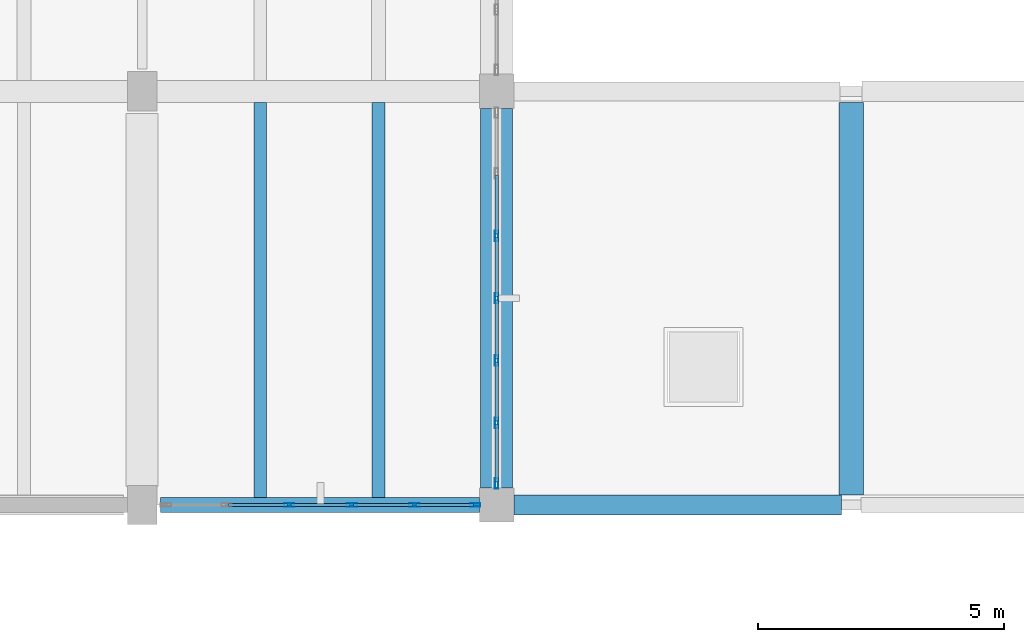
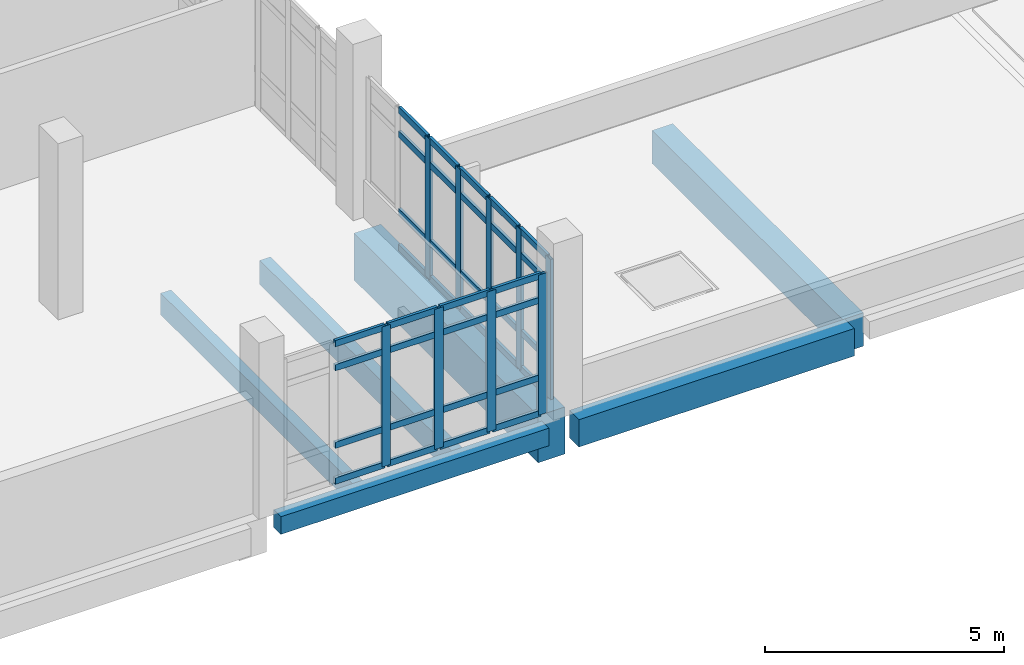
# One storey, part 72 of 124: 45 members, 6 beams, 2 elements without a shape of their own.
"""IFC4 building model written with IfcOpenShell, lengths in metres."""

from ifc_helpers import new_model, si_unit, direction, frame, origin, origin_2d, place, context, subcontext, project, spatial, rectangle, hollow_rectangle, extrude, material, material_profile, profile_set, type_object, element, aggregate, save


model = new_model("IFC4")

# Units and contexts
model_context = context("Model", 3, precision=1e-05, world=origin(), true_north=direction((0.0, 1.0)))
body_context = subcontext(model_context, "Body", "Model", "MODEL_VIEW")
ifc_project = project(units=[si_unit("LENGTHUNIT", "METRE"), si_unit("AREAUNIT", "SQUARE_METRE"), si_unit("VOLUMEUNIT", "CUBIC_METRE"), si_unit("PLANEANGLEUNIT", "RADIAN"), si_unit("MASSUNIT", "GRAM", prefix="KILO")], contexts=[model_context])

# Site, building, storey
site_placement = place(None, origin())
site = spatial("IfcSite", under=ifc_project, at=site_placement, CompositionType="ELEMENT")
building_placement = place(site_placement, origin())
building = spatial("IfcBuilding", under=site, at=building_placement, Name="Kalluvel Institute of Natural Sciences", CompositionType="ELEMENT")
storey_placement = place(building_placement, frame((0.0, 0.0, 9.89990234375)))
storey = spatial("IfcBuildingStorey", under=building, at=storey_placement, Name="L02", CompositionType="ELEMENT", Elevation=9.89990234375)

# Beams
ifc_material_1 = material(Name="Concrete M50", Category="concrete")
ifc_material_profile_1 = material_profile(ifc_material_1, rectangle(XDim=0.5, YDim=0.85009765625, at=origin_2d()), Name="RCB 500x850")
ifc_profile_set_1 = profile_set([ifc_material_profile_1], Name="Concrete M50")
beam_type_1 = type_object("IfcBeamType", Name="BM-RC500x850", PredefinedType="BEAM", material=ifc_profile_set_1)
beam_1_placement = place(storey_placement, frame((122.0, 103.0, -0.744873046875), z_axis=(0.0, 1.0, 0.0), x_axis=(-1.0, 0.0, 0.0)))
element("IfcBeam", 1, at=beam_1_placement, inside=storey, type_object=beam_type_1, Name="L02 girder GIR-L02-NS-X1220-Y1028", PredefinedType="BEAM", context=body_context, shape_type="SweptSolid", body=[
    extrude(rectangle(XDim=0.5, YDim=0.85009765625, at=origin_2d()), origin(), (0.0, 0.0, 1.0), 7.97509765625),
])
ifc_material_profile_2 = material_profile(ifc_material_1, rectangle(XDim=0.64990234375, YDim=1.199951171875, at=origin_2d()), Name="RCB 650x1200")
ifc_profile_set_2 = profile_set([ifc_material_profile_2], Name="Concrete M50")
beam_type_2 = type_object("IfcBeamType", Name="BM-RC650x1200", PredefinedType="BEAM", material=ifc_profile_set_2)
beam_2_placement = place(storey_placement, frame((114.800048828125, 103.14990234375, -0.919921875), z_axis=(0.0, 1.0, 0.0), x_axis=(-1.0, 0.0, 0.0)))
element("IfcBeam", 2, at=beam_2_placement, inside=storey, type_object=beam_type_2, Name="L02 girder GIR-L02-NS-X1148-Y1028", PredefinedType="BEAM", context=body_context, shape_type="SweptSolid", body=[
    extrude(rectangle(XDim=0.64990234375, YDim=1.199951171875, at=origin_2d()), origin(), (0.0, 0.0, 1.0), 7.7001953125),
])

# Curtain wall, members
ifc_material_2 = material(Name="Aluminium AW-6063 T6", Category="aluminium")
curtain_wall_type = type_object("IfcCurtainWallType", Name="CW-WET-45", PredefinedType="USERDEFINED", material=ifc_material_2)
curtain_wall_1_placement = place(storey_placement, origin())
curtain_wall_1 = element("IfcCurtainWall", 3, at=curtain_wall_1_placement, inside=storey, type_object=curtain_wall_type, Name="L02 Gothic lancet curtain wall CWA-L02-X1080-Y1028", ObjectType="UNITISED LANCET FACADE", PredefinedType="USERDEFINED")
ifc_material_profile_3 = material_profile(ifc_material_2, hollow_rectangle(XDim=0.070068359375, YDim=0.2099609375, WallThickness=0.0048828125, at=origin_2d()), Name="CWM 70x210")
ifc_profile_set_3 = profile_set([ifc_material_profile_3], Name="Aluminium AW-6063 T6")
member_type_1 = type_object("IfcMemberType", Name="CWM-70x210", PredefinedType="MULLION", material=ifc_profile_set_3)
member_1_placement = place(storey_placement, frame((110.590087890625, 102.800048828125, 0.0), z_axis=(0.0, 0.0, 1.0), x_axis=(0.0, 1.0, 0.0)))
member_1 = element("IfcMember", 4, at=member_1_placement, type_object=member_type_1, Name="CW-01 mullion 3", PredefinedType="MULLION", context=body_context, shape_type="SweptSolid", body=[
    extrude(hollow_rectangle(XDim=0.070068359375, YDim=0.2099609375, WallThickness=0.0048828125, at=origin_2d()), origin(), (0.0, 0.0, 1.0), 3.580078125),
])
member_2_placement = place(storey_placement, frame((111.860107421875, 102.800048828125, 0.0), z_axis=(0.0, 0.0, 1.0), x_axis=(0.0, 1.0, 0.0)))
member_2 = element("IfcMember", 5, at=member_2_placement, type_object=member_type_1, Name="CW-01 mullion 4", PredefinedType="MULLION", context=body_context, shape_type="SweptSolid", body=[
    extrude(hollow_rectangle(XDim=0.070068359375, YDim=0.2099609375, WallThickness=0.0048828125, at=origin_2d()), origin(), (0.0, 0.0, 1.0), 3.580078125),
])
member_3_placement = place(storey_placement, frame((113.1298828125, 102.800048828125, 0.0), z_axis=(0.0, 0.0, 1.0), x_axis=(0.0, 1.0, 0.0)))
member_3 = element("IfcMember", 6, at=member_3_placement, type_object=member_type_1, Name="CW-01 mullion 5", PredefinedType="MULLION", context=body_context, shape_type="SweptSolid", body=[
    extrude(hollow_rectangle(XDim=0.070068359375, YDim=0.2099609375, WallThickness=0.0048828125, at=origin_2d()), origin(), (0.0, 0.0, 1.0), 3.580078125),
])
member_4_placement = place(storey_placement, frame((114.364990234375, 102.800048828125, 0.0), z_axis=(0.0, 0.0, 1.0), x_axis=(0.0, 1.0, 0.0)))
member_4 = element("IfcMember", 7, at=member_4_placement, type_object=member_type_1, Name="CW-01 mullion 6", PredefinedType="MULLION", context=body_context, shape_type="SweptSolid", body=[
    extrude(hollow_rectangle(XDim=0.070068359375, YDim=0.2099609375, WallThickness=0.0048828125, at=origin_2d()), origin(), (0.0, 0.0, 1.0), 3.580078125),
])

curtain_wall_2_placement = place(storey_placement, origin())
curtain_wall_2 = element("IfcCurtainWall", 8, at=curtain_wall_2_placement, inside=storey, type_object=curtain_wall_type, Name="L02 Gothic lancet curtain wall CWA-L02-X1148-Y1032", ObjectType="UNITISED LANCET FACADE", PredefinedType="USERDEFINED")
member_5_placement = place(storey_placement, frame((114.800048828125, 103.235107421875, 0.0), z_axis=(0.0, 0.0, 1.0), x_axis=(-1.0, 0.0, 0.0)))
member_5 = element("IfcMember", 9, at=member_5_placement, type_object=member_type_1, Name="CW-01 mullion 1", PredefinedType="MULLION", context=body_context, shape_type="SweptSolid", body=[
    extrude(hollow_rectangle(XDim=0.070068359375, YDim=0.2099609375, WallThickness=0.0048828125, at=origin_2d()), origin(), (0.0, 0.0, 1.0), 3.580078125),
])
member_6_placement = place(storey_placement, frame((114.800048828125, 104.466552734375, 0.0), z_axis=(0.0, 0.0, 1.0), x_axis=(-1.0, 0.0, 0.0)))
member_6 = element("IfcMember", 10, at=member_6_placement, type_object=member_type_1, Name="CW-01 mullion 2", PredefinedType="MULLION", context=body_context, shape_type="SweptSolid", body=[
    extrude(hollow_rectangle(XDim=0.070068359375, YDim=0.2099609375, WallThickness=0.0048828125, at=origin_2d()), origin(), (0.0, 0.0, 1.0), 3.580078125),
])
member_7_placement = place(storey_placement, frame((114.800048828125, 105.7333984375, 0.0), z_axis=(0.0, 0.0, 1.0), x_axis=(-1.0, 0.0, 0.0)))
member_7 = element("IfcMember", 11, at=member_7_placement, type_object=member_type_1, Name="CW-01 mullion 3", PredefinedType="MULLION", context=body_context, shape_type="SweptSolid", body=[
    extrude(hollow_rectangle(XDim=0.070068359375, YDim=0.2099609375, WallThickness=0.0048828125, at=origin_2d()), origin(), (0.0, 0.0, 1.0), 3.580078125),
])
member_8_placement = place(storey_placement, frame((114.800048828125, 107.0, 0.0), z_axis=(0.0, 0.0, 1.0), x_axis=(-1.0, 0.0, 0.0)))
member_8 = element("IfcMember", 12, at=member_8_placement, type_object=member_type_1, Name="CW-01 mullion 4", PredefinedType="MULLION", context=body_context, shape_type="SweptSolid", body=[
    extrude(hollow_rectangle(XDim=0.070068359375, YDim=0.2099609375, WallThickness=0.0048828125, at=origin_2d()), origin(), (0.0, 0.0, 1.0), 3.580078125),
])
member_9_placement = place(storey_placement, frame((114.800048828125, 108.2666015625, 0.0), z_axis=(0.0, 0.0, 1.0), x_axis=(-1.0, 0.0, 0.0)))
member_9 = element("IfcMember", 13, at=member_9_placement, type_object=member_type_1, Name="CW-01 mullion 5", PredefinedType="MULLION", context=body_context, shape_type="SweptSolid", body=[
    extrude(hollow_rectangle(XDim=0.070068359375, YDim=0.2099609375, WallThickness=0.0048828125, at=origin_2d()), origin(), (0.0, 0.0, 1.0), 3.580078125),
])

# Member
ifc_material_profile_4 = material_profile(ifc_material_2, hollow_rectangle(XDim=0.070068359375, YDim=0.159912109375, WallThickness=0.0048828125, at=origin_2d()), Name="CWT 70x160")
ifc_profile_set_4 = profile_set([ifc_material_profile_4], Name="Aluminium AW-6063 T6")
member_type_2 = type_object("IfcMemberType", Name="CWT-70x160", PredefinedType="USERDEFINED", material=ifc_profile_set_4)
member_10_placement = place(storey_placement, frame((109.35498046875, 102.800048828125, 0.03515625), z_axis=(1.0, 0.0, 0.0), x_axis=(0.0, 1.0, 0.0)))
member_10 = element("IfcMember", 14, at=member_10_placement, type_object=member_type_2, Name="CW-01 transom 2.1", ObjectType="TRANSOM", PredefinedType="USERDEFINED", context=body_context, shape_type="SweptSolid", body=[
    extrude(hollow_rectangle(XDim=0.070068359375, YDim=0.159912109375, WallThickness=0.0048828125, at=origin_2d()), origin(), (0.0, 0.0, 1.0), 1.199951171875),
])

member_11_placement = place(storey_placement, frame((109.35498046875, 102.800048828125, 0.9501953125), z_axis=(1.0, 0.0, 0.0), x_axis=(0.0, 1.0, 0.0)))
member_11 = element("IfcMember", 15, at=member_11_placement, type_object=member_type_2, Name="CW-01 transom 2.2", ObjectType="TRANSOM", PredefinedType="USERDEFINED", context=body_context, shape_type="SweptSolid", body=[
    extrude(hollow_rectangle(XDim=0.070068359375, YDim=0.159912109375, WallThickness=0.0048828125, at=origin_2d()), origin(), (0.0, 0.0, 1.0), 1.199951171875),
])

member_12_placement = place(storey_placement, frame((109.35498046875, 102.800048828125, 2.93017578125), z_axis=(1.0, 0.0, 0.0), x_axis=(0.0, 1.0, 0.0)))
member_12 = element("IfcMember", 16, at=member_12_placement, type_object=member_type_2, Name="CW-01 transom 2.3", ObjectType="TRANSOM", PredefinedType="USERDEFINED", context=body_context, shape_type="SweptSolid", body=[
    extrude(hollow_rectangle(XDim=0.070068359375, YDim=0.159912109375, WallThickness=0.0048828125, at=origin_2d()), origin(), (0.0, 0.0, 1.0), 1.199951171875),
])

member_13_placement = place(storey_placement, frame((109.35498046875, 102.800048828125, 3.545166015625), z_axis=(1.0, 0.0, 0.0), x_axis=(0.0, 1.0, 0.0)))
member_13 = element("IfcMember", 17, at=member_13_placement, type_object=member_type_2, Name="CW-01 transom 2.4", ObjectType="TRANSOM", PredefinedType="USERDEFINED", context=body_context, shape_type="SweptSolid", body=[
    extrude(hollow_rectangle(XDim=0.070068359375, YDim=0.159912109375, WallThickness=0.0048828125, at=origin_2d()), origin(), (0.0, 0.0, 1.0), 1.199951171875),
])

member_14_placement = place(storey_placement, frame((110.625, 102.800048828125, 0.03515625), z_axis=(1.0, 0.0, 0.0), x_axis=(0.0, 1.0, 0.0)))
member_14 = element("IfcMember", 18, at=member_14_placement, type_object=member_type_2, Name="CW-01 transom 3.1", ObjectType="TRANSOM", PredefinedType="USERDEFINED", context=body_context, shape_type="SweptSolid", body=[
    extrude(hollow_rectangle(XDim=0.070068359375, YDim=0.159912109375, WallThickness=0.0048828125, at=origin_2d()), origin(), (0.0, 0.0, 1.0), 1.199951171875),
])

member_15_placement = place(storey_placement, frame((110.625, 102.800048828125, 0.9501953125), z_axis=(1.0, 0.0, 0.0), x_axis=(0.0, 1.0, 0.0)))
member_15 = element("IfcMember", 19, at=member_15_placement, type_object=member_type_2, Name="CW-01 transom 3.2", ObjectType="TRANSOM", PredefinedType="USERDEFINED", context=body_context, shape_type="SweptSolid", body=[
    extrude(hollow_rectangle(XDim=0.070068359375, YDim=0.159912109375, WallThickness=0.0048828125, at=origin_2d()), origin(), (0.0, 0.0, 1.0), 1.199951171875),
])

member_16_placement = place(storey_placement, frame((110.625, 102.800048828125, 2.93017578125), z_axis=(1.0, 0.0, 0.0), x_axis=(0.0, 1.0, 0.0)))
member_16 = element("IfcMember", 20, at=member_16_placement, type_object=member_type_2, Name="CW-01 transom 3.3", ObjectType="TRANSOM", PredefinedType="USERDEFINED", context=body_context, shape_type="SweptSolid", body=[
    extrude(hollow_rectangle(XDim=0.070068359375, YDim=0.159912109375, WallThickness=0.0048828125, at=origin_2d()), origin(), (0.0, 0.0, 1.0), 1.199951171875),
])

member_17_placement = place(storey_placement, frame((110.625, 102.800048828125, 3.545166015625), z_axis=(1.0, 0.0, 0.0), x_axis=(0.0, 1.0, 0.0)))
member_17 = element("IfcMember", 21, at=member_17_placement, type_object=member_type_2, Name="CW-01 transom 3.4", ObjectType="TRANSOM", PredefinedType="USERDEFINED", context=body_context, shape_type="SweptSolid", body=[
    extrude(hollow_rectangle(XDim=0.070068359375, YDim=0.159912109375, WallThickness=0.0048828125, at=origin_2d()), origin(), (0.0, 0.0, 1.0), 1.199951171875),
])

member_18_placement = place(storey_placement, frame((111.89501953125, 102.800048828125, 0.03515625), z_axis=(1.0, 0.0, 0.0), x_axis=(0.0, 1.0, 0.0)))
member_18 = element("IfcMember", 22, at=member_18_placement, type_object=member_type_2, Name="CW-01 transom 4.1", ObjectType="TRANSOM", PredefinedType="USERDEFINED", context=body_context, shape_type="SweptSolid", body=[
    extrude(hollow_rectangle(XDim=0.070068359375, YDim=0.159912109375, WallThickness=0.0048828125, at=origin_2d()), origin(), (0.0, 0.0, 1.0), 1.199951171875),
])

member_19_placement = place(storey_placement, frame((111.89501953125, 102.800048828125, 0.9501953125), z_axis=(1.0, 0.0, 0.0), x_axis=(0.0, 1.0, 0.0)))
member_19 = element("IfcMember", 23, at=member_19_placement, type_object=member_type_2, Name="CW-01 transom 4.2", ObjectType="TRANSOM", PredefinedType="USERDEFINED", context=body_context, shape_type="SweptSolid", body=[
    extrude(hollow_rectangle(XDim=0.070068359375, YDim=0.159912109375, WallThickness=0.0048828125, at=origin_2d()), origin(), (0.0, 0.0, 1.0), 1.199951171875),
])

member_20_placement = place(storey_placement, frame((111.89501953125, 102.800048828125, 2.93017578125), z_axis=(1.0, 0.0, 0.0), x_axis=(0.0, 1.0, 0.0)))
member_20 = element("IfcMember", 24, at=member_20_placement, type_object=member_type_2, Name="CW-01 transom 4.3", ObjectType="TRANSOM", PredefinedType="USERDEFINED", context=body_context, shape_type="SweptSolid", body=[
    extrude(hollow_rectangle(XDim=0.070068359375, YDim=0.159912109375, WallThickness=0.0048828125, at=origin_2d()), origin(), (0.0, 0.0, 1.0), 1.199951171875),
])

member_21_placement = place(storey_placement, frame((111.89501953125, 102.800048828125, 3.545166015625), z_axis=(1.0, 0.0, 0.0), x_axis=(0.0, 1.0, 0.0)))
member_21 = element("IfcMember", 25, at=member_21_placement, type_object=member_type_2, Name="CW-01 transom 4.4", ObjectType="TRANSOM", PredefinedType="USERDEFINED", context=body_context, shape_type="SweptSolid", body=[
    extrude(hollow_rectangle(XDim=0.070068359375, YDim=0.159912109375, WallThickness=0.0048828125, at=origin_2d()), origin(), (0.0, 0.0, 1.0), 1.199951171875),
])

member_22_placement = place(storey_placement, frame((113.1650390625, 102.800048828125, 0.03515625), z_axis=(1.0, 0.0, 0.0), x_axis=(0.0, 1.0, 0.0)))
member_22 = element("IfcMember", 26, at=member_22_placement, type_object=member_type_2, Name="CW-01 transom 5.1", ObjectType="TRANSOM", PredefinedType="USERDEFINED", context=body_context, shape_type="SweptSolid", body=[
    extrude(hollow_rectangle(XDim=0.070068359375, YDim=0.159912109375, WallThickness=0.0048828125, at=origin_2d()), origin(), (0.0, 0.0, 1.0), 1.1650390625),
])

member_23_placement = place(storey_placement, frame((113.1650390625, 102.800048828125, 0.9501953125), z_axis=(1.0, 0.0, 0.0), x_axis=(0.0, 1.0, 0.0)))
member_23 = element("IfcMember", 27, at=member_23_placement, type_object=member_type_2, Name="CW-01 transom 5.2", ObjectType="TRANSOM", PredefinedType="USERDEFINED", context=body_context, shape_type="SweptSolid", body=[
    extrude(hollow_rectangle(XDim=0.070068359375, YDim=0.159912109375, WallThickness=0.0048828125, at=origin_2d()), origin(), (0.0, 0.0, 1.0), 1.1650390625),
])

member_24_placement = place(storey_placement, frame((113.1650390625, 102.800048828125, 2.93017578125), z_axis=(1.0, 0.0, 0.0), x_axis=(0.0, 1.0, 0.0)))
member_24 = element("IfcMember", 28, at=member_24_placement, type_object=member_type_2, Name="CW-01 transom 5.3", ObjectType="TRANSOM", PredefinedType="USERDEFINED", context=body_context, shape_type="SweptSolid", body=[
    extrude(hollow_rectangle(XDim=0.070068359375, YDim=0.159912109375, WallThickness=0.0048828125, at=origin_2d()), origin(), (0.0, 0.0, 1.0), 1.1650390625),
])

member_25_placement = place(storey_placement, frame((113.1650390625, 102.800048828125, 3.545166015625), z_axis=(1.0, 0.0, 0.0), x_axis=(0.0, 1.0, 0.0)))
member_25 = element("IfcMember", 29, at=member_25_placement, type_object=member_type_2, Name="CW-01 transom 5.4", ObjectType="TRANSOM", PredefinedType="USERDEFINED", context=body_context, shape_type="SweptSolid", body=[
    extrude(hollow_rectangle(XDim=0.070068359375, YDim=0.159912109375, WallThickness=0.0048828125, at=origin_2d()), origin(), (0.0, 0.0, 1.0), 1.1650390625),
])

aggregate(curtain_wall_1, [member_1, member_2, member_3, member_4, member_10, member_11, member_12, member_13, member_14, member_15, member_16, member_17, member_18, member_19, member_20, member_21, member_22, member_23, member_24, member_25])

member_26_placement = place(storey_placement, frame((114.800048828125, 103.27001953125, 0.03515625), z_axis=(0.0, 1.0, 0.0), x_axis=(-1.0, 0.0, 0.0)))
member_26 = element("IfcMember", 30, at=member_26_placement, type_object=member_type_2, Name="CW-01 transom 1.1", ObjectType="TRANSOM", PredefinedType="USERDEFINED", context=body_context, shape_type="SweptSolid", body=[
    extrude(hollow_rectangle(XDim=0.070068359375, YDim=0.159912109375, WallThickness=0.0048828125, at=origin_2d()), origin(), (0.0, 0.0, 1.0), 1.16162109375),
])

member_27_placement = place(storey_placement, frame((114.800048828125, 103.27001953125, 0.9501953125), z_axis=(0.0, 1.0, 0.0), x_axis=(-1.0, 0.0, 0.0)))
member_27 = element("IfcMember", 31, at=member_27_placement, type_object=member_type_2, Name="CW-01 transom 1.2", ObjectType="TRANSOM", PredefinedType="USERDEFINED", context=body_context, shape_type="SweptSolid", body=[
    extrude(hollow_rectangle(XDim=0.070068359375, YDim=0.159912109375, WallThickness=0.0048828125, at=origin_2d()), origin(), (0.0, 0.0, 1.0), 1.16162109375),
])

member_28_placement = place(storey_placement, frame((114.800048828125, 103.27001953125, 2.93017578125), z_axis=(0.0, 1.0, 0.0), x_axis=(-1.0, 0.0, 0.0)))
member_28 = element("IfcMember", 32, at=member_28_placement, type_object=member_type_2, Name="CW-01 transom 1.3", ObjectType="TRANSOM", PredefinedType="USERDEFINED", context=body_context, shape_type="SweptSolid", body=[
    extrude(hollow_rectangle(XDim=0.070068359375, YDim=0.159912109375, WallThickness=0.0048828125, at=origin_2d()), origin(), (0.0, 0.0, 1.0), 1.16162109375),
])

member_29_placement = place(storey_placement, frame((114.800048828125, 103.27001953125, 3.545166015625), z_axis=(0.0, 1.0, 0.0), x_axis=(-1.0, 0.0, 0.0)))
member_29 = element("IfcMember", 33, at=member_29_placement, type_object=member_type_2, Name="CW-01 transom 1.4", ObjectType="TRANSOM", PredefinedType="USERDEFINED", context=body_context, shape_type="SweptSolid", body=[
    extrude(hollow_rectangle(XDim=0.070068359375, YDim=0.159912109375, WallThickness=0.0048828125, at=origin_2d()), origin(), (0.0, 0.0, 1.0), 1.16162109375),
])

member_30_placement = place(storey_placement, frame((114.800048828125, 104.501708984375, 0.03515625), z_axis=(0.0, 1.0, 0.0), x_axis=(-1.0, 0.0, 0.0)))
member_30 = element("IfcMember", 34, at=member_30_placement, type_object=member_type_2, Name="CW-01 transom 2.1", ObjectType="TRANSOM", PredefinedType="USERDEFINED", context=body_context, shape_type="SweptSolid", body=[
    extrude(hollow_rectangle(XDim=0.070068359375, YDim=0.159912109375, WallThickness=0.0048828125, at=origin_2d()), origin(), (0.0, 0.0, 1.0), 1.196533203125),
])

member_31_placement = place(storey_placement, frame((114.800048828125, 104.501708984375, 0.9501953125), z_axis=(0.0, 1.0, 0.0), x_axis=(-1.0, 0.0, 0.0)))
member_31 = element("IfcMember", 35, at=member_31_placement, type_object=member_type_2, Name="CW-01 transom 2.2", ObjectType="TRANSOM", PredefinedType="USERDEFINED", context=body_context, shape_type="SweptSolid", body=[
    extrude(hollow_rectangle(XDim=0.070068359375, YDim=0.159912109375, WallThickness=0.0048828125, at=origin_2d()), origin(), (0.0, 0.0, 1.0), 1.196533203125),
])

member_32_placement = place(storey_placement, frame((114.800048828125, 104.501708984375, 2.93017578125), z_axis=(0.0, 1.0, 0.0), x_axis=(-1.0, 0.0, 0.0)))
member_32 = element("IfcMember", 36, at=member_32_placement, type_object=member_type_2, Name="CW-01 transom 2.3", ObjectType="TRANSOM", PredefinedType="USERDEFINED", context=body_context, shape_type="SweptSolid", body=[
    extrude(hollow_rectangle(XDim=0.070068359375, YDim=0.159912109375, WallThickness=0.0048828125, at=origin_2d()), origin(), (0.0, 0.0, 1.0), 1.196533203125),
])

member_33_placement = place(storey_placement, frame((114.800048828125, 104.501708984375, 3.545166015625), z_axis=(0.0, 1.0, 0.0), x_axis=(-1.0, 0.0, 0.0)))
member_33 = element("IfcMember", 37, at=member_33_placement, type_object=member_type_2, Name="CW-01 transom 2.4", ObjectType="TRANSOM", PredefinedType="USERDEFINED", context=body_context, shape_type="SweptSolid", body=[
    extrude(hollow_rectangle(XDim=0.070068359375, YDim=0.159912109375, WallThickness=0.0048828125, at=origin_2d()), origin(), (0.0, 0.0, 1.0), 1.196533203125),
])

member_34_placement = place(storey_placement, frame((114.800048828125, 105.768310546875, 0.03515625), z_axis=(0.0, 1.0, 0.0), x_axis=(-1.0, 0.0, 0.0)))
member_34 = element("IfcMember", 38, at=member_34_placement, type_object=member_type_2, Name="CW-01 transom 3.1", ObjectType="TRANSOM", PredefinedType="USERDEFINED", context=body_context, shape_type="SweptSolid", body=[
    extrude(hollow_rectangle(XDim=0.070068359375, YDim=0.159912109375, WallThickness=0.0048828125, at=origin_2d()), origin(), (0.0, 0.0, 1.0), 1.19677734375),
])

member_35_placement = place(storey_placement, frame((114.800048828125, 105.768310546875, 0.9501953125), z_axis=(0.0, 1.0, 0.0), x_axis=(-1.0, 0.0, 0.0)))
member_35 = element("IfcMember", 39, at=member_35_placement, type_object=member_type_2, Name="CW-01 transom 3.2", ObjectType="TRANSOM", PredefinedType="USERDEFINED", context=body_context, shape_type="SweptSolid", body=[
    extrude(hollow_rectangle(XDim=0.070068359375, YDim=0.159912109375, WallThickness=0.0048828125, at=origin_2d()), origin(), (0.0, 0.0, 1.0), 1.19677734375),
])

member_36_placement = place(storey_placement, frame((114.800048828125, 105.768310546875, 2.93017578125), z_axis=(0.0, 1.0, 0.0), x_axis=(-1.0, 0.0, 0.0)))
member_36 = element("IfcMember", 40, at=member_36_placement, type_object=member_type_2, Name="CW-01 transom 3.3", ObjectType="TRANSOM", PredefinedType="USERDEFINED", context=body_context, shape_type="SweptSolid", body=[
    extrude(hollow_rectangle(XDim=0.070068359375, YDim=0.159912109375, WallThickness=0.0048828125, at=origin_2d()), origin(), (0.0, 0.0, 1.0), 1.19677734375),
])

member_37_placement = place(storey_placement, frame((114.800048828125, 105.768310546875, 3.545166015625), z_axis=(0.0, 1.0, 0.0), x_axis=(-1.0, 0.0, 0.0)))
member_37 = element("IfcMember", 41, at=member_37_placement, type_object=member_type_2, Name="CW-01 transom 3.4", ObjectType="TRANSOM", PredefinedType="USERDEFINED", context=body_context, shape_type="SweptSolid", body=[
    extrude(hollow_rectangle(XDim=0.070068359375, YDim=0.159912109375, WallThickness=0.0048828125, at=origin_2d()), origin(), (0.0, 0.0, 1.0), 1.19677734375),
])

member_38_placement = place(storey_placement, frame((114.800048828125, 107.034912109375, 0.03515625), z_axis=(0.0, 1.0, 0.0), x_axis=(-1.0, 0.0, 0.0)))
member_38 = element("IfcMember", 42, at=member_38_placement, type_object=member_type_2, Name="CW-01 transom 4.1", ObjectType="TRANSOM", PredefinedType="USERDEFINED", context=body_context, shape_type="SweptSolid", body=[
    extrude(hollow_rectangle(XDim=0.070068359375, YDim=0.159912109375, WallThickness=0.0048828125, at=origin_2d()), origin(), (0.0, 0.0, 1.0), 1.19677734375),
])

member_39_placement = place(storey_placement, frame((114.800048828125, 107.034912109375, 0.9501953125), z_axis=(0.0, 1.0, 0.0), x_axis=(-1.0, 0.0, 0.0)))
member_39 = element("IfcMember", 43, at=member_39_placement, type_object=member_type_2, Name="CW-01 transom 4.2", ObjectType="TRANSOM", PredefinedType="USERDEFINED", context=body_context, shape_type="SweptSolid", body=[
    extrude(hollow_rectangle(XDim=0.070068359375, YDim=0.159912109375, WallThickness=0.0048828125, at=origin_2d()), origin(), (0.0, 0.0, 1.0), 1.19677734375),
])

member_40_placement = place(storey_placement, frame((114.800048828125, 107.034912109375, 2.93017578125), z_axis=(0.0, 1.0, 0.0), x_axis=(-1.0, 0.0, 0.0)))
member_40 = element("IfcMember", 44, at=member_40_placement, type_object=member_type_2, Name="CW-01 transom 4.3", ObjectType="TRANSOM", PredefinedType="USERDEFINED", context=body_context, shape_type="SweptSolid", body=[
    extrude(hollow_rectangle(XDim=0.070068359375, YDim=0.159912109375, WallThickness=0.0048828125, at=origin_2d()), origin(), (0.0, 0.0, 1.0), 1.19677734375),
])

member_41_placement = place(storey_placement, frame((114.800048828125, 107.034912109375, 3.545166015625), z_axis=(0.0, 1.0, 0.0), x_axis=(-1.0, 0.0, 0.0)))
member_41 = element("IfcMember", 45, at=member_41_placement, type_object=member_type_2, Name="CW-01 transom 4.4", ObjectType="TRANSOM", PredefinedType="USERDEFINED", context=body_context, shape_type="SweptSolid", body=[
    extrude(hollow_rectangle(XDim=0.070068359375, YDim=0.159912109375, WallThickness=0.0048828125, at=origin_2d()), origin(), (0.0, 0.0, 1.0), 1.19677734375),
])

member_42_placement = place(storey_placement, frame((114.800048828125, 108.3017578125, 0.03515625), z_axis=(0.0, 1.0, 0.0), x_axis=(-1.0, 0.0, 0.0)))
member_42 = element("IfcMember", 46, at=member_42_placement, type_object=member_type_2, Name="CW-01 transom 5.1", ObjectType="TRANSOM", PredefinedType="USERDEFINED", context=body_context, shape_type="SweptSolid", body=[
    extrude(hollow_rectangle(XDim=0.070068359375, YDim=0.159912109375, WallThickness=0.0048828125, at=origin_2d()), origin(), (0.0, 0.0, 1.0), 1.196533203125),
])

member_43_placement = place(storey_placement, frame((114.800048828125, 108.3017578125, 0.9501953125), z_axis=(0.0, 1.0, 0.0), x_axis=(-1.0, 0.0, 0.0)))
member_43 = element("IfcMember", 47, at=member_43_placement, type_object=member_type_2, Name="CW-01 transom 5.2", ObjectType="TRANSOM", PredefinedType="USERDEFINED", context=body_context, shape_type="SweptSolid", body=[
    extrude(hollow_rectangle(XDim=0.070068359375, YDim=0.159912109375, WallThickness=0.0048828125, at=origin_2d()), origin(), (0.0, 0.0, 1.0), 1.196533203125),
])

member_44_placement = place(storey_placement, frame((114.800048828125, 108.3017578125, 2.93017578125), z_axis=(0.0, 1.0, 0.0), x_axis=(-1.0, 0.0, 0.0)))
member_44 = element("IfcMember", 48, at=member_44_placement, type_object=member_type_2, Name="CW-01 transom 5.3", ObjectType="TRANSOM", PredefinedType="USERDEFINED", context=body_context, shape_type="SweptSolid", body=[
    extrude(hollow_rectangle(XDim=0.070068359375, YDim=0.159912109375, WallThickness=0.0048828125, at=origin_2d()), origin(), (0.0, 0.0, 1.0), 1.196533203125),
])

member_45_placement = place(storey_placement, frame((114.800048828125, 108.3017578125, 3.545166015625), z_axis=(0.0, 1.0, 0.0), x_axis=(-1.0, 0.0, 0.0)))
member_45 = element("IfcMember", 49, at=member_45_placement, type_object=member_type_2, Name="CW-01 transom 5.4", ObjectType="TRANSOM", PredefinedType="USERDEFINED", context=body_context, shape_type="SweptSolid", body=[
    extrude(hollow_rectangle(XDim=0.070068359375, YDim=0.159912109375, WallThickness=0.0048828125, at=origin_2d()), origin(), (0.0, 0.0, 1.0), 1.196533203125),
])

aggregate(curtain_wall_2, [member_5, member_6, member_7, member_8, member_9, member_26, member_27, member_28, member_29, member_30, member_31, member_32, member_33, member_34, member_35, member_36, member_37, member_38, member_39, member_40, member_41, member_42, member_43, member_44, member_45])

# Beams
ifc_material_3 = material(Name="Concrete M40", Category="concrete")
ifc_material_profile_5 = material_profile(ifc_material_3, rectangle(XDim=0.300048828125, YDim=0.449951171875, at=origin_2d()), Name="RCB 300x450")
ifc_profile_set_5 = profile_set([ifc_material_profile_5], Name="Concrete M40")
beam_type_3 = type_object("IfcBeamType", Name="SP-RC300x450", PredefinedType="SPANDREL", material=ifc_profile_set_5)
beam_3_placement = place(storey_placement, frame((107.97509765625, 102.800048828125, -0.544921875), z_axis=(1.0, 0.0, 0.0), x_axis=(0.0, 1.0, 0.0)))
element("IfcBeam", 50, at=beam_3_placement, inside=storey, type_object=beam_type_3, Name="L02 girder GIR-L02-EW-X1076-Y1028", PredefinedType="SPANDREL", context=body_context, shape_type="SweptSolid", body=[
    extrude(rectangle(XDim=0.300048828125, YDim=0.449951171875, at=origin_2d()), origin(), (0.0, 0.0, 1.0), 6.474853515625),
])
ifc_material_profile_6 = material_profile(ifc_material_3, rectangle(XDim=0.39990234375, YDim=0.699951171875, at=origin_2d()), Name="RCB 400x700")
ifc_profile_set_6 = profile_set([ifc_material_profile_6], Name="Concrete M40")
beam_type_4 = type_object("IfcBeamType", Name="SP-RC400x700", PredefinedType="SPANDREL", material=ifc_profile_set_6)
beam_4_placement = place(storey_placement, frame((115.14990234375, 102.800048828125, -0.669921875), z_axis=(1.0, 0.0, 0.0), x_axis=(0.0, 1.0, 0.0)))
element("IfcBeam", 51, at=beam_4_placement, inside=storey, type_object=beam_type_4, Name="L02 girder GIR-L02-EW-X1148-Y1028", PredefinedType="SPANDREL", context=body_context, shape_type="SweptSolid", body=[
    extrude(rectangle(XDim=0.39990234375, YDim=0.699951171875, at=origin_2d()), origin(), (0.0, 0.0, 1.0), 6.650146484375),
])
ifc_material_profile_7 = material_profile(ifc_material_3, rectangle(XDim=0.25, YDim=0.550048828125, at=origin_2d()), Name="WAF 250x550")
ifc_profile_set_7 = profile_set([ifc_material_profile_7], Name="Concrete M40")
beam_type_5 = type_object("IfcBeamType", Name="WJ-250x550", PredefinedType="JOIST", material=ifc_profile_set_7)
beam_5_placement = place(storey_placement, frame((110.0, 102.949951171875, -0.594970703125), z_axis=(0.0, 1.0, 0.0), x_axis=(-1.0, 0.0, 0.0)))
element("IfcBeam", 52, at=beam_5_placement, inside=storey, type_object=beam_type_5, Name="L02 waffle joist RIB-L02-0212", PredefinedType="JOIST", context=body_context, shape_type="SweptSolid", body=[
    extrude(rectangle(XDim=0.25, YDim=0.550048828125, at=origin_2d()), origin(), (0.0, 0.0, 1.0), 8.025146484375),
])
ifc_material_profile_8 = material_profile(ifc_material_1, rectangle(XDim=0.260009765625, YDim=0.6201171875, at=origin_2d()), Name="WAF 260x620")
ifc_profile_set_8 = profile_set([ifc_material_profile_8], Name="Concrete M50")
beam_type_6 = type_object("IfcBeamType", Name="WJ-260x620", PredefinedType="JOIST", material=ifc_profile_set_8)
beam_6_placement = place(storey_placement, frame((112.39990234375, 102.949951171875, -0.6298828125), z_axis=(0.0, 1.0, 0.0), x_axis=(-1.0, 0.0, 0.0)))
element("IfcBeam", 53, at=beam_6_placement, inside=storey, type_object=beam_type_6, Name="L02 waffle joist RIB-L02-0213", PredefinedType="JOIST", context=body_context, shape_type="SweptSolid", body=[
    extrude(rectangle(XDim=0.260009765625, YDim=0.6201171875, at=origin_2d()), origin(), (0.0, 0.0, 1.0), 8.025146484375),
])

save(model, "model.ifc")
